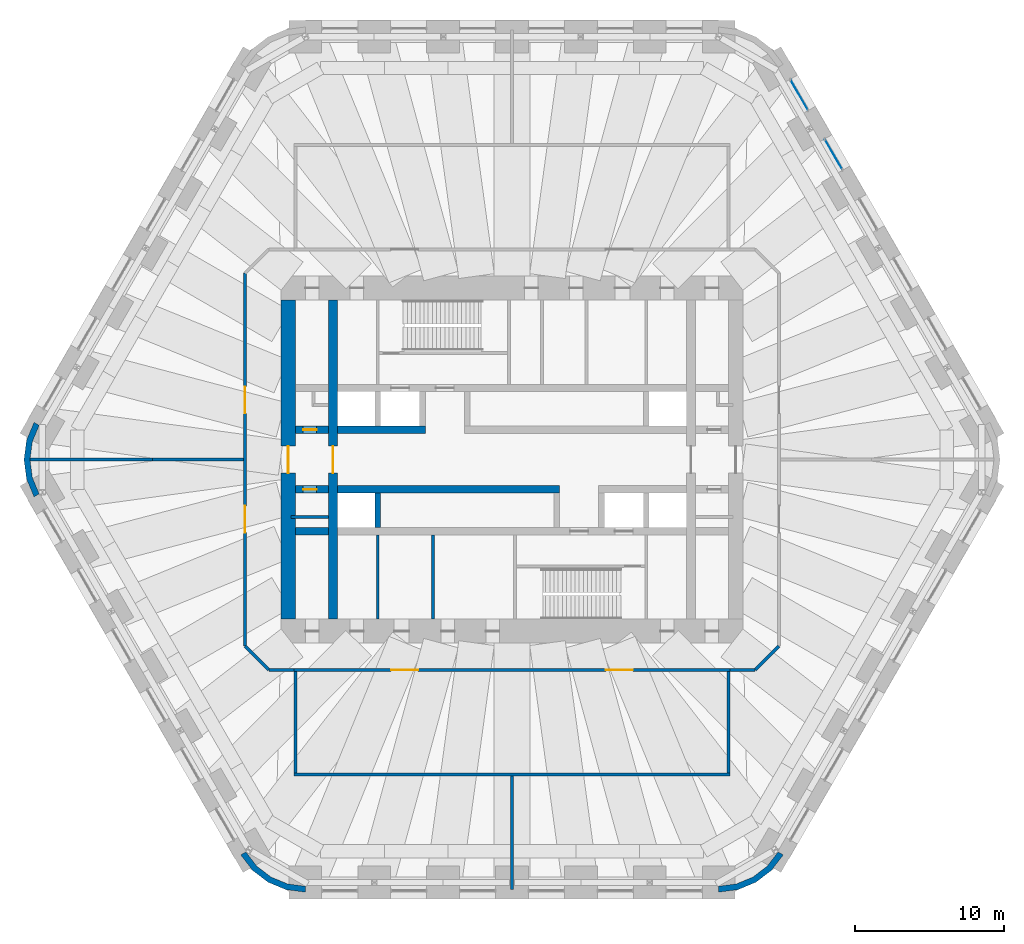
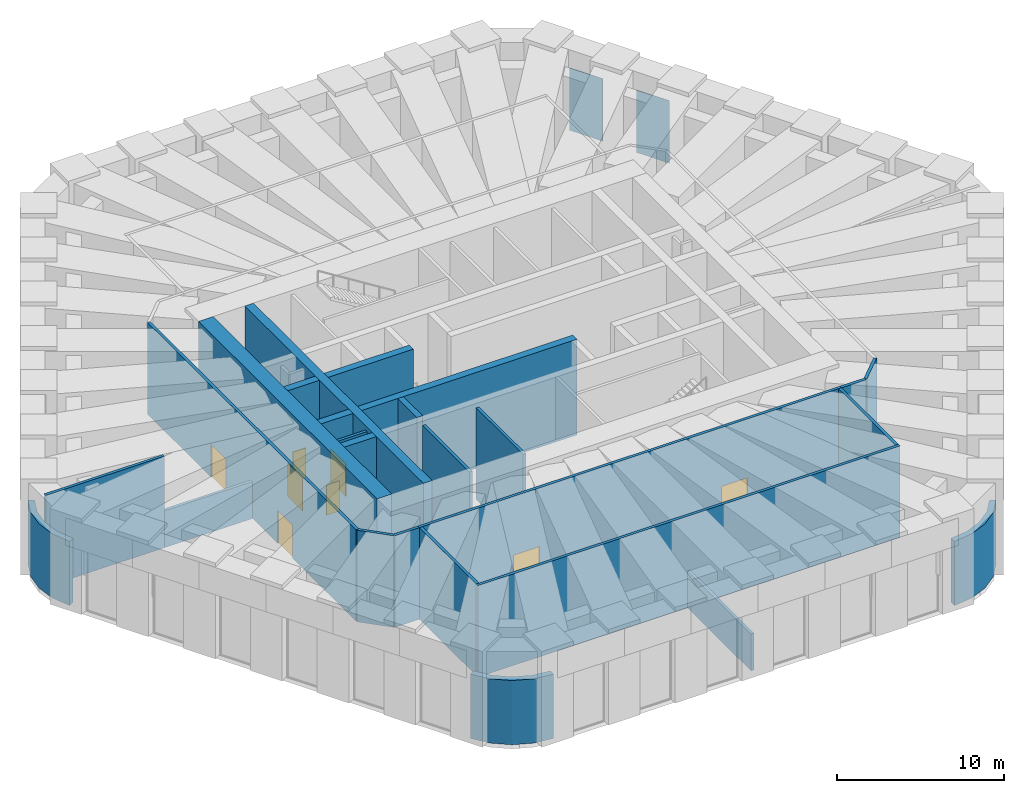
# One storey, part 11 of 14: 26 walls, 8 doors, 2 plates, 8 openings, 2 elements without a shape of their own.
"""IFC4 building model written with IfcOpenShell, lengths in metres."""

from ifc_helpers import new_model, si_unit, direction, frame, frame_2d, origin, origin_2d, place, context, subcontext, project, spatial, polyline, rectangle, outline, extrude, material, layer, layer_set, type_object, element, fill, aggregate, save


model = new_model("IFC4")

# Units and contexts
model_context = context("Model", 3, precision=1e-05, world=origin(), true_north=direction((0.0, 1.0)))
body_context = subcontext(model_context, "Body", "Model", "MODEL_VIEW")
ifc_project = project(units=[si_unit("LENGTHUNIT", "METRE"), si_unit("AREAUNIT", "SQUARE_METRE"), si_unit("VOLUMEUNIT", "CUBIC_METRE"), si_unit("PLANEANGLEUNIT", "RADIAN"), si_unit("MASSUNIT", "GRAM", prefix="KILO")], contexts=[model_context])

# Site, building, storey
site_placement = place(None, origin())
site = spatial("IfcSite", under=ifc_project, at=site_placement, CompositionType="ELEMENT")
building_placement = place(site_placement, origin())
building = spatial("IfcBuilding", under=site, at=building_placement, Name="Tarfa Lantern Tower", CompositionType="ELEMENT")
storey_placement = place(building_placement, frame((0.0, 0.0, 299.5)))
storey = spatial("IfcBuildingStorey", under=building, at=storey_placement, Name="L68", CompositionType="ELEMENT", Elevation=299.5)

# Curtain wall, plate
ifc_material_1 = material(Name="Aluminium framed curtain wall", Category="aluminium")
curtain_wall_type = type_object("IfcCurtainWallType", Name="CW6 LOUVRED SCREEN WALL 4700", PredefinedType="USERDEFINED", material=ifc_material_1)
curtain_wall_1_placement = place(storey_placement, origin())
curtain_wall_1 = element("IfcCurtainWall", 1, at=curtain_wall_1_placement, inside=storey, type_object=curtain_wall_type, Name="CW6 NE L68", ObjectType="CURTAIN WALL", PredefinedType="USERDEFINED")
ifc_material_2 = material(Name="Aluminium louvre blades", Category="aluminium")
ifc_layer_1 = layer(ifc_material_2, 0.028076171875)
ifc_layer_set_1 = layer_set([ifc_layer_1], Name="CWP2 LOUVRE PANEL")
plate_type = type_object("IfcPlateType", Name="CWP2 LOUVRE PANEL", PredefinedType="CURTAIN_PANEL", material=ifc_layer_set_1)
plate_1_placement = place(storey_placement, frame((21.56396484375, 20.449951171875, 0.06494140625), z_axis=(0.0, 0.0, 1.0), x_axis=(-0.5, 0.866025403784, 0.0)))
plate_1 = element("IfcPlate", 2, at=plate_1_placement, type_object=plate_type, Name="CW6 panel 1.1", PredefinedType="CURTAIN_PANEL", context=body_context, shape_type="SweptSolid", body=[
    extrude(rectangle(XDim=2.288818359375, YDim=0.028076171875, at=origin_2d()), origin(), (0.0, 0.0, 1.0), 4.570068359375),
])
aggregate(curtain_wall_1, [plate_1])

curtain_wall_2_placement = place(storey_placement, origin())
curtain_wall_2 = element("IfcCurtainWall", 3, at=curtain_wall_2_placement, inside=storey, type_object=curtain_wall_type, Name="CW6 NE L68", ObjectType="CURTAIN WALL", PredefinedType="USERDEFINED")
plate_2_placement = place(storey_placement, frame((19.254638671875, 24.449951171875, 0.06494140625), z_axis=(0.0, 0.0, 1.0), x_axis=(-0.5, 0.866025403784, 0.0)))
plate_2 = element("IfcPlate", 4, at=plate_2_placement, type_object=plate_type, Name="CW6 panel 1.1", PredefinedType="CURTAIN_PANEL", context=body_context, shape_type="SweptSolid", body=[
    extrude(rectangle(XDim=2.288818359375, YDim=0.028076171875, at=origin_2d()), origin(), (0.0, 0.0, 1.0), 4.570068359375),
])
aggregate(curtain_wall_2, [plate_2])

# Walls
ifc_material_3 = material(Name="Limestone cladding on blockwork", Category="masonry")
ifc_layer_2 = layer(ifc_material_3, 0.39990234375)
ifc_layer_set_2 = layer_set([ifc_layer_2], Name="EW2 CURVED STONE CORNER 400")
wall_type_1 = type_object("IfcWallType", Name="EW2 CURVED STONE CORNER 400", PredefinedType="SOLIDWALL", material=ifc_layer_set_2)
wall_1_placement = place(storey_placement, origin())
element("IfcWall", 5, at=wall_1_placement, inside=storey, type_object=wall_type_1, Name="Stone corner NW-SW", PredefinedType="SOLIDWALL", context=body_context, shape_type="SweptSolid", body=[
    extrude(outline(polyline([(-32.04296875, 2.5), (-32.54248046875, 1.294189453125), (-32.712890625, 0.0), (-32.54248046875, -1.294189453125), (-32.04296875, -2.5), (-31.696533203125, -2.300048828125), (-32.156005859375, -1.190673828125), (-32.312744140625, 0.0), (-32.156005859375, 1.190673828125), (-31.696533203125, 2.300048828125), (-32.04296875, 2.5)])), origin(), (0.0, 0.0, 1.0), 4.699951171875),
])
wall_2_placement = place(storey_placement, origin())
element("IfcWall", 6, at=wall_2_placement, inside=storey, type_object=wall_type_1, Name="Stone corner SW-S", PredefinedType="SOLIDWALL", context=body_context, shape_type="SweptSolid", body=[
    extrude(outline(polyline([(-18.1865234375, -26.5), (-17.391845703125, -27.53564453125), (-16.3564453125, -28.330078125), (-15.150390625, -28.82958984375), (-13.8564453125, -29.0), (-13.8564453125, -28.60009765625), (-15.046875, -28.443359375), (-16.156494140625, -27.983642578125), (-17.109130859375, -27.252685546875), (-17.840087890625, -26.300048828125), (-18.1865234375, -26.5)])), origin(), (0.0, 0.0, 1.0), 4.699951171875),
])
wall_3_placement = place(storey_placement, origin())
element("IfcWall", 7, at=wall_3_placement, inside=storey, type_object=wall_type_1, Name="Stone corner S-SE", PredefinedType="SOLIDWALL", context=body_context, shape_type="SweptSolid", body=[
    extrude(outline(polyline([(13.8564453125, -29.0), (15.150390625, -28.82958984375), (16.3564453125, -28.330078125), (17.391845703125, -27.53564453125), (18.1865234375, -26.5), (17.840087890625, -26.300048828125), (17.109130859375, -27.252685546875), (16.156494140625, -27.983642578125), (15.046875, -28.443359375), (13.8564453125, -28.60009765625), (13.8564453125, -29.0)])), origin(), (0.0, 0.0, 1.0), 4.699951171875),
])
ifc_material_4 = material(Name="Concrete blockwork", Category="masonry")
ifc_layer_3 = layer(ifc_material_4, 0.199951171875)
ifc_layer_set_3 = layer_set([ifc_layer_3], Name="IW1 BLOCKWORK PARTITION 200 EI 120")
wall_type_2 = type_object("IfcWallType", Name="IW1 BLOCKWORK PARTITION 200 EI 120", PredefinedType="PARTITIONING", material=ifc_layer_set_3)
for number, where, z_axis, x_axis, name in (
    (8, (-9.0, -5.050048828125, 0.0), (0.0, 0.0, 1.0), (0.0, -1.0, 0.0), "Core partition"),
    (9, (-5.300048828125, -5.050048828125, 0.0), (0.0, 0.0, 1.0), (0.0, -1.0, 0.0), "Core partition"),
):
    element("IfcWall", number, at=place(storey_placement, frame(where, z_axis=z_axis, x_axis=x_axis)), inside=storey, type_object=wall_type_2, Name=name, PredefinedType="PARTITIONING", context=body_context, shape_type="SweptSolid", body=[
        extrude(rectangle(XDim=5.64990234375, YDim=0.199951171875, at=frame_2d((2.824951171875, 0.0))), origin(), (0.0, 0.0, 1.0), 6.699951171875),
    ])
wall_4_placement = place(storey_placement, frame((-12.300048828125, -3.85009765625, 0.0), z_axis=(0.0, 0.0, 1.0), x_axis=(-1.0, 0.0, 0.0)))
element("IfcWall", 10, at=wall_4_placement, inside=storey, type_object=wall_type_2, Name="Core partition", PredefinedType="PARTITIONING", context=body_context, shape_type="SweptSolid", body=[
    extrude(rectangle(XDim=2.5, YDim=0.199951171875, at=frame_2d((1.25, 0.0))), origin(), (0.0, 0.0, 1.0), 6.699951171875),
])
wall_5_placement = place(storey_placement, frame((17.89990234375, -12.5, 0.0), z_axis=(0.0, 0.0, 1.0), x_axis=(-0.707052830339, -0.707160727918, 0.0)))
element("IfcWall", 11, at=wall_5_placement, inside=storey, type_object=wall_type_2, Name="Fire-rated partition", PredefinedType="PARTITIONING", context=body_context, shape_type="SweptSolid", body=[
    extrude(rectangle(XDim=2.2626953125, YDim=0.199951171875, at=frame_2d((1.13134765625, 0.0))), origin(), (0.0, 0.0, 1.0), 6.699951171875),
])
for number, where, z_axis, x_axis, name in (
    (12, (-14.60009765625, -14.10009765625, 0.0), (0.0, 0.0, 1.0), (-1.0, 0.0, 0.0), "Fire-rated partition"),
    (13, (16.300048828125, -14.10009765625, 0.0), (0.0, 0.0, 1.0), (-1.0, 0.0, 0.0), "Fire-rated partition"),
):
    element("IfcWall", number, at=place(storey_placement, frame(where, z_axis=z_axis, x_axis=x_axis)), inside=storey, type_object=wall_type_2, Name=name, PredefinedType="PARTITIONING", context=body_context, shape_type="SweptSolid", body=[
        extrude(rectangle(XDim=1.699951171875, YDim=0.199951171875, at=frame_2d((0.85009765625, 0.0))), origin(), (0.0, 0.0, 1.0), 6.699951171875),
    ])
wall_6_placement = place(storey_placement, frame((-16.300048828125, -14.10009765625, 0.0), z_axis=(0.0, 0.0, 1.0), x_axis=(-0.707052830339, 0.707160727918, 0.0)))
element("IfcWall", 14, at=wall_6_placement, inside=storey, type_object=wall_type_2, Name="Fire-rated partition", PredefinedType="PARTITIONING", context=body_context, shape_type="SweptSolid", body=[
    extrude(rectangle(XDim=2.2626953125, YDim=0.199951171875, at=frame_2d((1.13134765625, 0.0))), origin(), (0.0, 0.0, 1.0), 6.699951171875),
])

# Wall, openings, doors
wall_7_placement = place(storey_placement, frame((-17.89990234375, -12.5, 0.0), z_axis=(0.0, 0.0, 1.0), x_axis=(0.0, 1.0, 0.0)))
wall_7 = element("IfcWall", 15, at=wall_7_placement, inside=storey, type_object=wall_type_2, Name="Fire-rated partition", PredefinedType="PARTITIONING", context=body_context, shape_type="SweptSolid", body=[
    extrude(rectangle(XDim=25.0, YDim=0.199951171875, at=frame_2d((12.5, 0.0))), origin(), (0.0, 0.0, 1.0), 6.699951171875),
])
opening_1_placement = place(wall_7_placement, frame((15.60009765625, 0.0, 0.0)))
opening_1 = element("IfcOpeningElement", 16, at=opening_1_placement, cuts=wall_7, Name="Opening D28", PredefinedType="OPENING", context=body_context, shape_type="SweptSolid", body=[
    extrude(rectangle(XDim=1.800048828125, YDim=2.39990234375, at=frame_2d((0.89990234375, 1.199951171875))), frame((0.0, 0.10986328125, 0.0), z_axis=(0.0, -1.0, 0.0), x_axis=(1.0, 0.0, 0.0)), (0.0, 0.0, 1.0), 0.219970703125),
])
opening_2_placement = place(wall_7_placement, frame((7.60009765625, 0.0, 0.0)))
opening_2 = element("IfcOpeningElement", 17, at=opening_2_placement, cuts=wall_7, Name="Opening D30", PredefinedType="OPENING", context=body_context, shape_type="SweptSolid", body=[
    extrude(rectangle(XDim=1.800048828125, YDim=2.39990234375, at=frame_2d((0.89990234375, 1.199951171875))), frame((0.0, 0.10986328125, 0.0), z_axis=(0.0, -1.0, 0.0), x_axis=(1.0, 0.0, 0.0)), (0.0, 0.0, 1.0), 0.219970703125),
])
ifc_material_5 = material(Name="Steel fire door", Category="steel")
door_type_1 = type_object("IfcDoorType", Name="DF7 FIRE DOOR 1800x2400", OperationType="DOUBLE_DOOR_SINGLE_SWING", PredefinedType="DOOR", material=ifc_material_5)
door_1_placement = place(opening_1_placement, origin())
door_1 = element("IfcDoor", 18, at=door_1_placement, inside=storey, type_object=door_type_1, Name="Air handling plant room door", OperationType="DOUBLE_DOOR_SINGLE_SWING", OverallHeight=2.39990234375, OverallWidth=1.800048828125, PredefinedType="DOOR", context=body_context, shape_type="SweptSolid", body=[
    extrude(rectangle(XDim=1.800048828125, YDim=2.39990234375, at=frame_2d((0.89990234375, 1.199951171875))), frame((0.0, 0.02490234375, 0.0), z_axis=(0.0, -1.0, 0.0), x_axis=(1.0, 0.0, 0.0)), (0.0, 0.0, 1.0), 0.050048828125),
])
fill(opening_1, door_1)
door_2_placement = place(opening_2_placement, origin())
door_2 = element("IfcDoor", 19, at=door_2_placement, inside=storey, type_object=door_type_1, Name="Chilled water plant room door", OperationType="DOUBLE_DOOR_SINGLE_SWING", OverallHeight=2.39990234375, OverallWidth=1.800048828125, PredefinedType="DOOR", context=body_context, shape_type="SweptSolid", body=[
    extrude(rectangle(XDim=1.800048828125, YDim=2.39990234375, at=frame_2d((0.89990234375, 1.199951171875))), frame((0.0, 0.02490234375, 0.0), z_axis=(0.0, -1.0, 0.0), x_axis=(1.0, 0.0, 0.0)), (0.0, 0.0, 1.0), 0.050048828125),
])
fill(opening_2, door_2)

# Walls
wall_8_placement = place(storey_placement, frame((0.0, -21.199951171875, 0.0), z_axis=(0.0, 0.0, 1.0), x_axis=(0.0, -1.0, 0.0)))
element("IfcWall", 20, at=wall_8_placement, inside=storey, type_object=wall_type_2, Name="Fire-rated partition", PredefinedType="PARTITIONING", context=body_context, shape_type="SweptSolid", body=[
    extrude(rectangle(XDim=7.610107421875, YDim=0.199951171875, at=frame_2d((3.80517578125, 0.0))), origin(), (0.0, 0.0, 1.0), 2.699951171875),
])
wall_9_placement = place(storey_placement, frame((-18.0, 0.0, 0.0), z_axis=(0.0, 0.0, 1.0), x_axis=(-1.0, 0.0, 0.0)))
element("IfcWall", 21, at=wall_9_placement, inside=storey, type_object=wall_type_2, Name="Fire-rated partition", PredefinedType="PARTITIONING", context=body_context, shape_type="SweptSolid", body=[
    extrude(rectangle(XDim=6.095947265625, YDim=0.199951171875, at=frame_2d((3.0478515625, 0.0))), origin(), (0.0, 0.0, 1.0), 2.699951171875),
])
wall_10_placement = place(storey_placement, frame((-24.095947265625, 0.0, 0.0), z_axis=(0.0, 0.0, 1.0), x_axis=(-1.0, 0.0, 0.0)))
element("IfcWall", 22, at=wall_10_placement, inside=storey, type_object=wall_type_2, Name="Fire-rated partition", PredefinedType="PARTITIONING", context=body_context, shape_type="SweptSolid", body=[
    extrude(rectangle(XDim=8.203857421875, YDim=0.199951171875, at=frame_2d((4.10205078125, 0.0))), origin(), (0.0, 0.0, 1.0), 6.699951171875),
])

# Wall, openings, doors
ifc_material_6 = material(Name="Gypsum board on steel studs", Category="steel")
ifc_layer_4 = layer(ifc_material_6, 0.2099609375)
ifc_layer_set_4 = layer_set([ifc_layer_4], Name="IW2 ACOUSTIC PARTITION 200")
wall_type_3 = type_object("IfcWallType", Name="IW2 ACOUSTIC PARTITION 200", PredefinedType="PARTITIONING", material=ifc_layer_set_4)
wall_11_placement = place(storey_placement, frame((14.60009765625, -14.10009765625, 0.0), z_axis=(0.0, 0.0, 1.0), x_axis=(-1.0, 0.0, 0.0)))
wall_11 = element("IfcWall", 23, at=wall_11_placement, inside=storey, type_object=wall_type_3, Name="Partition", PredefinedType="PARTITIONING", context=body_context, shape_type="SweptSolid", body=[
    extrude(rectangle(XDim=29.2001953125, YDim=0.199951171875, at=frame_2d((14.60009765625, 0.0))), origin(), (0.0, 0.0, 1.0), 6.699951171875),
])
opening_3_placement = place(wall_11_placement, frame((20.89990234375, 0.0, 0.0)))
opening_3 = element("IfcOpeningElement", 24, at=opening_3_placement, cuts=wall_11, Name="Opening D33", PredefinedType="OPENING", context=body_context, shape_type="SweptSolid", body=[
    extrude(rectangle(XDim=1.800048828125, YDim=2.39990234375, at=frame_2d((0.89990234375, 1.199951171875))), frame((0.0, 0.10986328125, 0.0), z_axis=(0.0, -1.0, 0.0), x_axis=(1.0, 0.0, 0.0)), (0.0, 0.0, 1.0), 0.219970703125),
])
opening_4_placement = place(wall_11_placement, frame((6.5, 0.0, 0.0)))
opening_4 = element("IfcOpeningElement", 25, at=opening_4_placement, cuts=wall_11, Name="Opening D34", PredefinedType="OPENING", context=body_context, shape_type="SweptSolid", body=[
    extrude(rectangle(XDim=1.800048828125, YDim=2.39990234375, at=frame_2d((0.89990234375, 1.199951171875))), frame((0.0, 0.10986328125, 0.0), z_axis=(0.0, -1.0, 0.0), x_axis=(1.0, 0.0, 0.0)), (0.0, 0.0, 1.0), 0.219970703125),
])
ifc_material_7 = material(Name="Timber door", Category="wood")
door_type_2 = type_object("IfcDoorType", Name="DR2 ROOM DOOR 1800x2400", OperationType="DOUBLE_DOOR_SINGLE_SWING", PredefinedType="DOOR", material=ifc_material_7)
door_3_placement = place(opening_3_placement, origin())
door_3 = element("IfcDoor", 26, at=door_3_placement, inside=storey, type_object=door_type_2, Name="Refuge area door", OperationType="DOUBLE_DOOR_SINGLE_SWING", OverallHeight=2.39990234375, OverallWidth=1.800048828125, PredefinedType="DOOR", context=body_context, shape_type="SweptSolid", body=[
    extrude(rectangle(XDim=1.800048828125, YDim=2.39990234375, at=frame_2d((0.89990234375, 1.199951171875))), frame((0.0, 0.02490234375, 0.0), z_axis=(0.0, -1.0, 0.0), x_axis=(1.0, 0.0, 0.0)), (0.0, 0.0, 1.0), 0.050048828125),
])
fill(opening_3, door_3)
door_4_placement = place(opening_4_placement, origin())
door_4 = element("IfcDoor", 27, at=door_4_placement, inside=storey, type_object=door_type_2, Name="Refuge area door", OperationType="DOUBLE_DOOR_SINGLE_SWING", OverallHeight=2.39990234375, OverallWidth=1.800048828125, PredefinedType="DOOR", context=body_context, shape_type="SweptSolid", body=[
    extrude(rectangle(XDim=1.800048828125, YDim=2.39990234375, at=frame_2d((0.89990234375, 1.199951171875))), frame((0.0, 0.02490234375, 0.0), z_axis=(0.0, -1.0, 0.0), x_axis=(1.0, 0.0, 0.0)), (0.0, 0.0, 1.0), 0.050048828125),
])
fill(opening_4, door_4)

# Walls
for number, where, z_axis, x_axis, name in (
    (28, (14.5, -14.199951171875, 0.0), (0.0, 0.0, 1.0), (0.0, -1.0, 0.0), "Partition"),
    (29, (-14.5, -14.199951171875, 0.0), (0.0, 0.0, 1.0), (0.0, -1.0, 0.0), "Partition"),
):
    element("IfcWall", number, at=place(storey_placement, frame(where, z_axis=z_axis, x_axis=x_axis)), inside=storey, type_object=wall_type_3, Name=name, PredefinedType="PARTITIONING", context=body_context, shape_type="SweptSolid", body=[
        extrude(rectangle(XDim=6.800048828125, YDim=0.199951171875, at=frame_2d((3.39990234375, 0.0))), origin(), (0.0, 0.0, 1.0), 6.699951171875),
    ])
wall_12_placement = place(storey_placement, frame((14.60009765625, -21.10009765625, 0.0), z_axis=(0.0, 0.0, 1.0), x_axis=(-1.0, 0.0, 0.0)))
element("IfcWall", 30, at=wall_12_placement, inside=storey, type_object=wall_type_3, Name="Partition", PredefinedType="PARTITIONING", context=body_context, shape_type="SweptSolid", body=[
    extrude(rectangle(XDim=29.2001953125, YDim=0.199951171875, at=frame_2d((14.60009765625, 0.0))), origin(), (0.0, 0.0, 1.0), 6.699951171875),
])

# Wall, opening, door
ifc_material_8 = material(Name="Concrete C80/95", Category="concrete")
ifc_layer_5 = layer(ifc_material_8, 1.0)
ifc_layer_set_5 = layer_set([ifc_layer_5], Name="SW2 CORE WALL 1000")
wall_type_4 = type_object("IfcWallType", Name="SW2 CORE WALL 1000", PredefinedType="SHEAR", material=ifc_layer_set_5)
wall_13_placement = place(storey_placement, frame((-15.0, 10.699951171875, 0.0), z_axis=(0.0, 0.0, 1.0), x_axis=(0.0, -1.0, 0.0)))
wall_13 = element("IfcWall", 31, at=wall_13_placement, inside=storey, type_object=wall_type_4, Name="Core wall W", PredefinedType="SHEAR", context=body_context, shape_type="SweptSolid", body=[
    extrude(rectangle(XDim=21.39990234375, YDim=1.0, at=frame_2d((10.699951171875, 0.0))), origin(), (0.0, 0.0, 1.0), 7.0),
])
opening_5_placement = place(wall_13_placement, frame((9.800048828125, 0.0, 0.0)))
opening_5 = element("IfcOpeningElement", 32, at=opening_5_placement, cuts=wall_13, Name="Opening D12", PredefinedType="OPENING", context=body_context, shape_type="SweptSolid", body=[
    extrude(rectangle(XDim=1.800048828125, YDim=2.39990234375, at=frame_2d((0.89990234375, 1.199951171875))), frame((0.0, 0.510009765625, 0.0), z_axis=(0.0, -1.0, 0.0), x_axis=(1.0, 0.0, 0.0)), (0.0, 0.0, 1.0), 1.02001953125),
])
door_type_3 = type_object("IfcDoorType", Name="DL1 LOBBY DOOR 1800x2400", OperationType="DOUBLE_DOOR_SINGLE_SWING", PredefinedType="DOOR", material=ifc_material_5)
door_5_placement = place(opening_5_placement, frame((1.800048828125, 0.0, 0.0), z_axis=(0.0, 0.0, 1.0), x_axis=(-1.0, 0.0, 0.0)))
door_5 = element("IfcDoor", 33, at=door_5_placement, inside=storey, type_object=door_type_3, Name="Lift lobby door", OperationType="DOUBLE_DOOR_SINGLE_SWING", OverallHeight=2.39990234375, OverallWidth=1.800048828125, PredefinedType="DOOR", context=body_context, shape_type="SweptSolid", body=[
    extrude(rectangle(XDim=1.800048828125, YDim=2.39990234375, at=frame_2d((0.89990234375, 1.199951171875))), frame((0.0, 0.02490234375, 0.0), z_axis=(0.0, -1.0, 0.0), x_axis=(1.0, 0.0, 0.0)), (0.0, 0.0, 1.0), 0.050048828125),
])
fill(opening_5, door_5)

ifc_layer_6 = layer(ifc_material_8, 0.5)
ifc_layer_set_6 = layer_set([ifc_layer_6], Name="SW5 CORE WALL 500")
wall_type_5 = type_object("IfcWallType", Name="SW5 CORE WALL 500", PredefinedType="SHEAR", material=ifc_layer_set_6)
wall_14_placement = place(storey_placement, frame((-14.5, 2.0, 0.0), z_axis=(0.0, 0.0, 1.0), x_axis=(1.0, 0.0, 0.0)))
wall_14 = element("IfcWall", 34, at=wall_14_placement, inside=storey, type_object=wall_type_5, Name="Core wall lobby west N", PredefinedType="SHEAR", context=body_context, shape_type="SweptSolid", body=[
    extrude(rectangle(XDim=2.199951171875, YDim=0.5, at=frame_2d((1.10009765625, 0.0))), origin(), (0.0, 0.0, 1.0), 7.0),
])
opening_6_placement = place(wall_14_placement, frame((0.5, 0.0, 0.0)))
opening_6 = element("IfcOpeningElement", 35, at=opening_6_placement, cuts=wall_14, Name="Opening D15", PredefinedType="OPENING", context=body_context, shape_type="SweptSolid", body=[
    extrude(rectangle(XDim=0.89990234375, YDim=2.199951171875, at=frame_2d((0.449951171875, 1.10009765625))), frame((0.0, 0.260009765625, 0.0), z_axis=(0.0, -1.0, 0.0), x_axis=(1.0, 0.0, 0.0)), (0.0, 0.0, 1.0), 0.52001953125),
])
door_type_4 = type_object("IfcDoorType", Name="DF6 SERVICE ROOM DOOR 900x2200", OperationType="SINGLE_SWING_LEFT", PredefinedType="DOOR", material=ifc_material_5)
door_6_placement = place(opening_6_placement, origin())
door_6 = element("IfcDoor", 36, at=door_6_placement, inside=storey, type_object=door_type_4, Name="Service room door", OperationType="SINGLE_SWING_RIGHT", OverallHeight=2.199951171875, OverallWidth=0.89990234375, PredefinedType="DOOR", context=body_context, shape_type="SweptSolid", body=[
    extrude(rectangle(XDim=0.89990234375, YDim=2.199951171875, at=frame_2d((0.449951171875, 1.10009765625))), frame((0.0, 0.02490234375, 0.0), z_axis=(0.0, -1.0, 0.0), x_axis=(1.0, 0.0, 0.0)), (0.0, 0.0, 1.0), 0.050048828125),
])
fill(opening_6, door_6)

# Walls
wall_15_placement = place(storey_placement, frame((-11.699951171875, 2.0, 0.0), z_axis=(0.0, 0.0, 1.0), x_axis=(1.0, 0.0, 0.0)))
element("IfcWall", 37, at=wall_15_placement, inside=storey, type_object=wall_type_5, Name="Core wall lobby west N", PredefinedType="SHEAR", context=body_context, shape_type="SweptSolid", body=[
    extrude(rectangle(XDim=5.89990234375, YDim=0.5, at=frame_2d((2.949951171875, 0.0))), origin(), (0.0, 0.0, 1.0), 7.0),
])
wall_16_placement = place(storey_placement, frame((3.199951171875, -2.0, 0.0), z_axis=(0.0, 0.0, 1.0), x_axis=(-1.0, 0.0, 0.0)))
element("IfcWall", 38, at=wall_16_placement, inside=storey, type_object=wall_type_5, Name="Core wall lobby east S", PredefinedType="SHEAR", context=body_context, shape_type="SweptSolid", body=[
    extrude(rectangle(XDim=14.89990234375, YDim=0.5, at=frame_2d((7.449951171875, 0.0))), origin(), (0.0, 0.0, 1.0), 7.0),
])

# Wall, opening, door
wall_17_placement = place(storey_placement, frame((-12.300048828125, -2.0, 0.0), z_axis=(0.0, 0.0, 1.0), x_axis=(-1.0, 0.0, 0.0)))
wall_17 = element("IfcWall", 39, at=wall_17_placement, inside=storey, type_object=wall_type_5, Name="Core wall lobby east S", PredefinedType="SHEAR", context=body_context, shape_type="SweptSolid", body=[
    extrude(rectangle(XDim=2.199951171875, YDim=0.5, at=frame_2d((1.10009765625, 0.0))), origin(), (0.0, 0.0, 1.0), 7.0),
])
opening_7_placement = place(wall_17_placement, frame((0.800048828125, 0.0, 0.0)))
opening_7 = element("IfcOpeningElement", 40, at=opening_7_placement, cuts=wall_17, Name="Opening D14", PredefinedType="OPENING", context=body_context, shape_type="SweptSolid", body=[
    extrude(rectangle(XDim=0.89990234375, YDim=2.199951171875, at=frame_2d((0.449951171875, 1.10009765625))), frame((0.0, 0.260009765625, 0.0), z_axis=(0.0, -1.0, 0.0), x_axis=(1.0, 0.0, 0.0)), (0.0, 0.0, 1.0), 0.52001953125),
])
door_7_placement = place(opening_7_placement, origin())
door_7 = element("IfcDoor", 41, at=door_7_placement, inside=storey, type_object=door_type_4, Name="Service room door", OperationType="SINGLE_SWING_LEFT", OverallHeight=2.199951171875, OverallWidth=0.89990234375, PredefinedType="DOOR", context=body_context, shape_type="SweptSolid", body=[
    extrude(rectangle(XDim=0.89990234375, YDim=2.199951171875, at=frame_2d((0.449951171875, 1.10009765625))), frame((0.0, 0.02490234375, 0.0), z_axis=(0.0, -1.0, 0.0), x_axis=(1.0, 0.0, 0.0)), (0.0, 0.0, 1.0), 0.050048828125),
])
fill(opening_7, door_7)

# Walls
wall_18_placement = place(storey_placement, frame((-12.300048828125, -4.800048828125, 0.0), z_axis=(0.0, 0.0, 1.0), x_axis=(-1.0, 0.0, 0.0)))
element("IfcWall", 42, at=wall_18_placement, inside=storey, type_object=wall_type_5, Name="Core wall rear S", PredefinedType="SHEAR", context=body_context, shape_type="SweptSolid", body=[
    extrude(rectangle(XDim=2.199951171875, YDim=0.5, at=frame_2d((1.10009765625, 0.0))), origin(), (0.0, 0.0, 1.0), 7.0),
])
ifc_layer_7 = layer(ifc_material_8, 0.39990234375)
ifc_layer_set_7 = layer_set([ifc_layer_7], Name="SW6 CORE WALL 400")
wall_type_6 = type_object("IfcWallType", Name="SW6 CORE WALL 400", PredefinedType="SHEAR", material=ifc_layer_set_7)
wall_19_placement = place(storey_placement, frame((-9.0, -2.25, 0.0), z_axis=(0.0, 0.0, 1.0), x_axis=(0.0, -1.0, 0.0)))
element("IfcWall", 43, at=wall_19_placement, inside=storey, type_object=wall_type_6, Name="Core wall divider S", PredefinedType="SHEAR", context=body_context, shape_type="SweptSolid", body=[
    extrude(rectangle(XDim=2.300048828125, YDim=0.39990234375, at=frame_2d((1.14990234375, 0.0))), origin(), (0.0, 0.0, 1.0), 7.0),
])

# Wall, opening, door
ifc_layer_8 = layer(ifc_material_8, 0.60009765625)
ifc_layer_set_8 = layer_set([ifc_layer_8], Name="SW9 CORE WALL 600")
wall_type_7 = type_object("IfcWallType", Name="SW9 CORE WALL 600", PredefinedType="SHEAR", material=ifc_layer_set_8)
wall_20_placement = place(storey_placement, frame((-12.0, -10.699951171875, 0.0), z_axis=(0.0, 0.0, 1.0), x_axis=(0.0, 1.0, 0.0)))
wall_20 = element("IfcWall", 44, at=wall_20_placement, inside=storey, type_object=wall_type_7, Name="Core wall cross 12 m west", PredefinedType="SHEAR", context=body_context, shape_type="SweptSolid", body=[
    extrude(rectangle(XDim=21.39990234375, YDim=0.60009765625, at=frame_2d((10.699951171875, 0.0))), origin(), (0.0, 0.0, 1.0), 7.0),
])
opening_8_placement = place(wall_20_placement, frame((9.800048828125, 0.0, 0.0)))
opening_8 = element("IfcOpeningElement", 45, at=opening_8_placement, cuts=wall_20, Name="Opening D26", PredefinedType="OPENING", context=body_context, shape_type="SweptSolid", body=[
    extrude(rectangle(XDim=1.800048828125, YDim=2.39990234375, at=frame_2d((0.89990234375, 1.199951171875))), frame((0.0, 0.31005859375, 0.0), z_axis=(0.0, -1.0, 0.0), x_axis=(1.0, 0.0, 0.0)), (0.0, 0.0, 1.0), 0.6201171875),
])
door_8_placement = place(opening_8_placement, origin())
door_8 = element("IfcDoor", 46, at=door_8_placement, inside=storey, type_object=door_type_3, Name="Lift lobby door", OperationType="DOUBLE_DOOR_SINGLE_SWING", OverallHeight=2.39990234375, OverallWidth=1.800048828125, PredefinedType="DOOR", context=body_context, shape_type="SweptSolid", body=[
    extrude(rectangle(XDim=1.800048828125, YDim=2.39990234375, at=frame_2d((0.89990234375, 1.199951171875))), frame((0.0, 0.02490234375, 0.0), z_axis=(0.0, -1.0, 0.0), x_axis=(1.0, 0.0, 0.0)), (0.0, 0.0, 1.0), 0.050048828125),
])
fill(opening_8, door_8)

save(model, "model.ifc")
